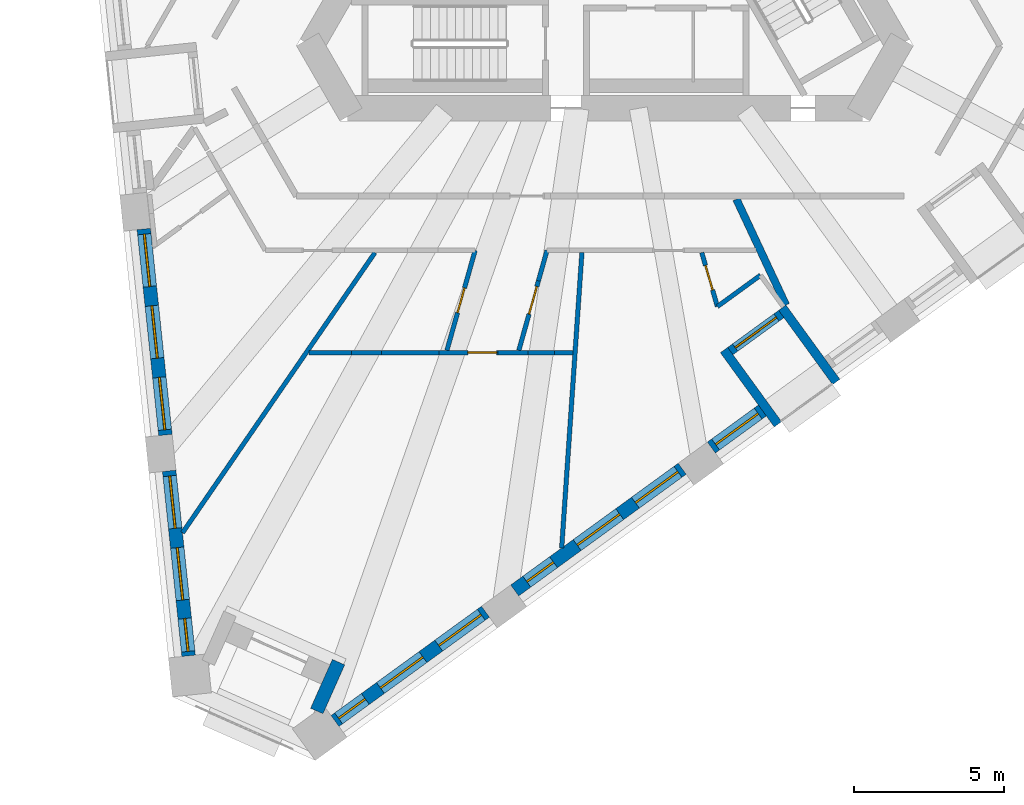
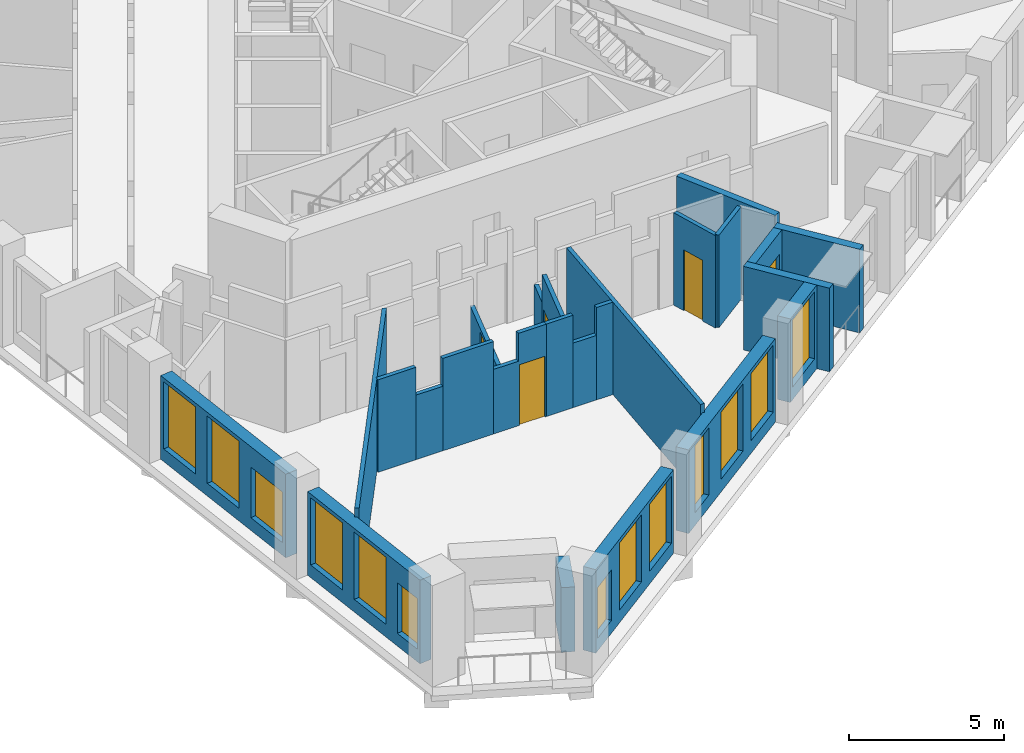
# One storey, part 2 of 14: 24 walls, 13 windows, 5 doors, 18 openings.
"""IFC4 building model written with IfcOpenShell, lengths in metres."""

from ifc_helpers import new_model, si_unit, direction, frame, frame_2d, origin, place, context, subcontext, project, spatial, polyline, rectangle, outline, extrude, material, layer, layer_set, type_object, element, fill, save


model = new_model("IFC4")

# Units and contexts
model_context = context("Model", 3, precision=1e-05, world=origin(), true_north=direction((0.0, 1.0)))
body_context = subcontext(model_context, "Body", "Model", "MODEL_VIEW")
ifc_project = project(units=[si_unit("LENGTHUNIT", "METRE"), si_unit("AREAUNIT", "SQUARE_METRE"), si_unit("VOLUMEUNIT", "CUBIC_METRE"), si_unit("PLANEANGLEUNIT", "RADIAN"), si_unit("MASSUNIT", "GRAM", prefix="KILO")], contexts=[model_context])

# Site, building, storey
site_placement = place(None, origin())
site = spatial("IfcSite", under=ifc_project, at=site_placement, CompositionType="ELEMENT")
building_placement = place(site_placement, origin())
building = spatial("IfcBuilding", under=site, at=building_placement, Name="Tramontana Tower", CompositionType="ELEMENT")
storey_placement = place(building_placement, frame((0.0, 0.0, 174.800048828125)))
storey = spatial("IfcBuildingStorey", under=building, at=storey_placement, Name="L40", CompositionType="ELEMENT", Elevation=174.800048828125)

# Wall, openings, windows
ifc_material_1 = material(Name="Precast concrete 60 MPa", Category="concrete")
ifc_layer_1 = layer(ifc_material_1, 0.449951171875)
ifc_layer_set_1 = layer_set([ifc_layer_1], Name="Precast concrete 60 MPa, 450 mm")
wall_type_1 = type_object("IfcWallType", Name="EW1 Stone-faced precast wall 450", PredefinedType="SOLIDWALL", material=ifc_layer_set_1)
wall_1_placement = place(storey_placement, frame((-15.327880859375, -10.341796875, 0.0), z_axis=(0.0, 0.0, 1.0), x_axis=(0.104531531326, -0.994521572898, 0.0)))
wall_1 = element("IfcWall", 1, at=wall_1_placement, inside=storey, type_object=wall_type_1, Name="External wall L40 face 0 bay 5", PredefinedType="SOLIDWALL", context=body_context, shape_type="SweptSolid", body=[
    extrude(rectangle(XDim=6.8828125, YDim=0.449951171875, at=frame_2d((3.44140625, 0.0))), origin(), (0.0, 0.0, 1.0), 3.300048828125),
])
opening_1_placement = place(wall_1_placement, frame((0.172119140625, 0.0, 0.5)))
opening_1 = element("IfcOpeningElement", 2, at=opening_1_placement, cuts=wall_1, Name="Opening M2", PredefinedType="OPENING", context=body_context, shape_type="SweptSolid", body=[
    extrude(rectangle(XDim=1.75, YDim=2.64990234375, at=frame_2d((0.875, 1.324951171875))), frame((0.0, 0.23486328125, 0.0), z_axis=(0.0, -1.0, 0.0), x_axis=(1.0, 0.0, 0.0)), (0.0, 0.0, 1.0), 0.469970703125),
])
opening_2_placement = place(wall_1_placement, frame((2.56640625, 0.0, 0.5)))
opening_2 = element("IfcOpeningElement", 3, at=opening_2_placement, cuts=wall_1, Name="Opening M2", PredefinedType="OPENING", context=body_context, shape_type="SweptSolid", body=[
    extrude(rectangle(XDim=1.75, YDim=2.64990234375, at=frame_2d((0.875, 1.324951171875))), frame((0.0, 0.23486328125, 0.0), z_axis=(0.0, -1.0, 0.0), x_axis=(1.0, 0.0, 0.0)), (0.0, 0.0, 1.0), 0.469970703125),
])
opening_3_placement = place(wall_1_placement, frame((4.960693359375, 0.0, 0.5)))
opening_3 = element("IfcOpeningElement", 4, at=opening_3_placement, cuts=wall_1, Name="Opening M2L", PredefinedType="OPENING", context=body_context, shape_type="SweptSolid", body=[
    extrude(rectangle(XDim=1.75, YDim=2.0, at=frame_2d((0.875, 1.0))), frame((0.0, 0.23486328125, 0.0), z_axis=(0.0, -1.0, 0.0), x_axis=(1.0, 0.0, 0.0)), (0.0, 0.0, 1.0), 0.469970703125),
])
ifc_material_2 = material(Name="Aluminum frame, double glazing unit", Category="aluminium")
window_type_1 = type_object("IfcWindowType", Name="M2 Window 1.75 x 2.65", PartitioningType="SINGLE_PANEL", PredefinedType="WINDOW", material=ifc_material_2)
window_1_placement = place(opening_1_placement, origin())
window_1 = element("IfcWindow", 5, at=window_1_placement, inside=storey, type_object=window_type_1, Name="Window M2 L40 face 0 module 13", OverallHeight=2.64990234375, OverallWidth=1.75, PartitioningType="SINGLE_PANEL", PredefinedType="WINDOW", context=body_context, shape_type="SweptSolid", body=[
    extrude(rectangle(XDim=1.75, YDim=2.64990234375, at=frame_2d((0.875, 1.324951171875))), frame((0.0, 0.030029296875, 0.0), z_axis=(0.0, -1.0, 0.0), x_axis=(1.0, 0.0, 0.0)), (0.0, 0.0, 1.0), 0.06005859375),
])
fill(opening_1, window_1)
window_2_placement = place(opening_2_placement, origin())
window_2 = element("IfcWindow", 6, at=window_2_placement, inside=storey, type_object=window_type_1, Name="Window M2 L40 face 0 module 14", OverallHeight=2.64990234375, OverallWidth=1.75, PartitioningType="SINGLE_PANEL", PredefinedType="WINDOW", context=body_context, shape_type="SweptSolid", body=[
    extrude(rectangle(XDim=1.75, YDim=2.64990234375, at=frame_2d((0.875, 1.324951171875))), frame((0.0, 0.030029296875, 0.0), z_axis=(0.0, -1.0, 0.0), x_axis=(1.0, 0.0, 0.0)), (0.0, 0.0, 1.0), 0.06005859375),
])
fill(opening_2, window_2)
ifc_material_3 = material(Name="Aluminum frame, double glazing unit", Category="aluminium")
window_type_2 = type_object("IfcWindowType", Name="M2L Window 1.75 x 2", PartitioningType="SINGLE_PANEL", PredefinedType="WINDOW", material=ifc_material_3)
window_3_placement = place(opening_3_placement, origin())
window_3 = element("IfcWindow", 7, at=window_3_placement, inside=storey, type_object=window_type_2, Name="Window M2L L40 face 0 module 15", OverallHeight=2.0, OverallWidth=1.75, PartitioningType="SINGLE_PANEL", PredefinedType="WINDOW", context=body_context, shape_type="SweptSolid", body=[
    extrude(rectangle(XDim=1.75, YDim=2.0, at=frame_2d((0.875, 1.0))), frame((0.0, 0.030029296875, 0.0), z_axis=(0.0, -1.0, 0.0), x_axis=(1.0, 0.0, 0.0)), (0.0, 0.0, 1.0), 0.06005859375),
])
fill(opening_3, window_3)

wall_2_placement = place(storey_placement, frame((-14.483154296875, -18.38037109375, 0.0), z_axis=(0.0, 0.0, 1.0), x_axis=(0.104557348575, -0.994518858976, 0.0)))
wall_2 = element("IfcWall", 8, at=wall_2_placement, inside=storey, type_object=wall_type_1, Name="External wall L40 face 0 bay 6", PredefinedType="SOLIDWALL", context=body_context, shape_type="SweptSolid", body=[
    extrude(rectangle(XDim=6.18310546875, YDim=0.449951171875, at=frame_2d((3.091552734375, 0.0))), origin(), (0.0, 0.0, 1.0), 3.300048828125),
])
opening_4_placement = place(wall_2_placement, frame((0.172119140625, 0.0, 0.5)))
opening_4 = element("IfcOpeningElement", 9, at=opening_4_placement, cuts=wall_2, Name="Opening M2", PredefinedType="OPENING", context=body_context, shape_type="SweptSolid", body=[
    extrude(rectangle(XDim=1.75, YDim=2.64990234375, at=frame_2d((0.875, 1.324951171875))), frame((0.0, 0.23486328125, 0.0), z_axis=(0.0, -1.0, 0.0), x_axis=(1.0, 0.0, 0.0)), (0.0, 0.0, 1.0), 0.469970703125),
])
opening_5_placement = place(wall_2_placement, frame((2.56640625, 0.0, 0.5)))
opening_5 = element("IfcOpeningElement", 10, at=opening_5_placement, cuts=wall_2, Name="Opening M2", PredefinedType="OPENING", context=body_context, shape_type="SweptSolid", body=[
    extrude(rectangle(XDim=1.75, YDim=2.64990234375, at=frame_2d((0.875, 1.324951171875))), frame((0.0, 0.23486328125, 0.0), z_axis=(0.0, -1.0, 0.0), x_axis=(1.0, 0.0, 0.0)), (0.0, 0.0, 1.0), 0.469970703125),
])
opening_6_placement = place(wall_2_placement, frame((4.935791015625, 0.0, 0.5)))
opening_6 = element("IfcOpeningElement", 11, at=opening_6_placement, cuts=wall_2, Name="Opening N2L", PredefinedType="OPENING", context=body_context, shape_type="SweptSolid", body=[
    extrude(rectangle(XDim=1.10009765625, YDim=2.0, at=frame_2d((0.550048828125, 1.0))), frame((0.0, 0.23486328125, 0.0), z_axis=(0.0, -1.0, 0.0), x_axis=(1.0, 0.0, 0.0)), (0.0, 0.0, 1.0), 0.469970703125),
])
window_4_placement = place(opening_4_placement, origin())
window_4 = element("IfcWindow", 12, at=window_4_placement, inside=storey, type_object=window_type_1, Name="Window M2 L40 face 0 module 16", OverallHeight=2.64990234375, OverallWidth=1.75, PartitioningType="SINGLE_PANEL", PredefinedType="WINDOW", context=body_context, shape_type="SweptSolid", body=[
    extrude(rectangle(XDim=1.75, YDim=2.64990234375, at=frame_2d((0.875, 1.324951171875))), frame((0.0, 0.030029296875, 0.0), z_axis=(0.0, -1.0, 0.0), x_axis=(1.0, 0.0, 0.0)), (0.0, 0.0, 1.0), 0.06005859375),
])
fill(opening_4, window_4)
window_5_placement = place(opening_5_placement, origin())
window_5 = element("IfcWindow", 13, at=window_5_placement, inside=storey, type_object=window_type_1, Name="Window M2 L40 face 0 module 17", OverallHeight=2.64990234375, OverallWidth=1.75, PartitioningType="SINGLE_PANEL", PredefinedType="WINDOW", context=body_context, shape_type="SweptSolid", body=[
    extrude(rectangle(XDim=1.75, YDim=2.64990234375, at=frame_2d((0.875, 1.324951171875))), frame((0.0, 0.030029296875, 0.0), z_axis=(0.0, -1.0, 0.0), x_axis=(1.0, 0.0, 0.0)), (0.0, 0.0, 1.0), 0.06005859375),
])
fill(opening_5, window_5)
ifc_material_4 = material(Name="Aluminum frame, double glazing unit", Category="aluminium")
window_type_3 = type_object("IfcWindowType", Name="N2L Window 1.1 x 2", PartitioningType="SINGLE_PANEL", PredefinedType="WINDOW", material=ifc_material_4)
window_6_placement = place(opening_6_placement, origin())
window_6 = element("IfcWindow", 14, at=window_6_placement, inside=storey, type_object=window_type_3, Name="Window N2L L40 face 0 module 18", OverallHeight=2.0, OverallWidth=1.10009765625, PartitioningType="SINGLE_PANEL", PredefinedType="WINDOW", context=body_context, shape_type="SweptSolid", body=[
    extrude(rectangle(XDim=1.10009765625, YDim=2.0, at=frame_2d((0.550048828125, 1.0))), frame((0.0, 0.030029296875, 0.0), z_axis=(0.0, -1.0, 0.0), x_axis=(1.0, 0.0, 0.0)), (0.0, 0.0, 1.0), 0.06005859375),
])
fill(opening_6, window_6)

wall_3_placement = place(storey_placement, frame((-8.97021484375, -26.696044921875, 0.0), z_axis=(0.0, 0.0, 1.0), x_axis=(0.809024567544, 0.587774828578, 0.0)))
wall_3 = element("IfcWall", 15, at=wall_3_placement, inside=storey, type_object=wall_type_1, Name="External wall L40 face 1 bay 1", PredefinedType="SOLIDWALL", context=body_context, shape_type="SweptSolid", body=[
    extrude(rectangle(XDim=6.1826171875, YDim=0.449951171875, at=frame_2d((3.09130859375, 0.0))), origin(), (0.0, 0.0, 1.0), 3.300048828125),
])
opening_7_placement = place(wall_3_placement, frame((0.147216796875, 0.0, 0.5)))
opening_7 = element("IfcOpeningElement", 16, at=opening_7_placement, cuts=wall_3, Name="Opening N2L", PredefinedType="OPENING", context=body_context, shape_type="SweptSolid", body=[
    extrude(rectangle(XDim=1.10009765625, YDim=2.0, at=frame_2d((0.550048828125, 1.0))), frame((0.0, 0.23486328125, 0.0), z_axis=(0.0, -1.0, 0.0), x_axis=(1.0, 0.0, 0.0)), (0.0, 0.0, 1.0), 0.469970703125),
])
opening_8_placement = place(wall_3_placement, frame((1.866455078125, 0.0, 0.5)))
opening_8 = element("IfcOpeningElement", 17, at=opening_8_placement, cuts=wall_3, Name="Opening M2", PredefinedType="OPENING", context=body_context, shape_type="SweptSolid", body=[
    extrude(rectangle(XDim=1.75, YDim=2.64990234375, at=frame_2d((0.875, 1.324951171875))), frame((0.0, 0.23486328125, 0.0), z_axis=(0.0, -1.0, 0.0), x_axis=(1.0, 0.0, 0.0)), (0.0, 0.0, 1.0), 0.469970703125),
])
opening_9_placement = place(wall_3_placement, frame((4.2607421875, 0.0, 0.5)))
opening_9 = element("IfcOpeningElement", 18, at=opening_9_placement, cuts=wall_3, Name="Opening M2", PredefinedType="OPENING", context=body_context, shape_type="SweptSolid", body=[
    extrude(rectangle(XDim=1.75, YDim=2.64990234375, at=frame_2d((0.875, 1.324951171875))), frame((0.0, 0.23486328125, 0.0), z_axis=(0.0, -1.0, 0.0), x_axis=(1.0, 0.0, 0.0)), (0.0, 0.0, 1.0), 0.469970703125),
])
window_7_placement = place(opening_8_placement, origin())
window_7 = element("IfcWindow", 19, at=window_7_placement, inside=storey, type_object=window_type_1, Name="Window M2 L40 face 1 module 2", OverallHeight=2.64990234375, OverallWidth=1.75, PartitioningType="SINGLE_PANEL", PredefinedType="WINDOW", context=body_context, shape_type="SweptSolid", body=[
    extrude(rectangle(XDim=1.75, YDim=2.64990234375, at=frame_2d((0.875, 1.324951171875))), frame((0.0, 0.030029296875, 0.0), z_axis=(0.0, -1.0, 0.0), x_axis=(1.0, 0.0, 0.0)), (0.0, 0.0, 1.0), 0.06005859375),
])
fill(opening_8, window_7)
window_8_placement = place(opening_9_placement, origin())
window_8 = element("IfcWindow", 20, at=window_8_placement, inside=storey, type_object=window_type_1, Name="Window M2 L40 face 1 module 3", OverallHeight=2.64990234375, OverallWidth=1.75, PartitioningType="SINGLE_PANEL", PredefinedType="WINDOW", context=body_context, shape_type="SweptSolid", body=[
    extrude(rectangle(XDim=1.75, YDim=2.64990234375, at=frame_2d((0.875, 1.324951171875))), frame((0.0, 0.030029296875, 0.0), z_axis=(0.0, -1.0, 0.0), x_axis=(1.0, 0.0, 0.0)), (0.0, 0.0, 1.0), 0.06005859375),
])
fill(opening_9, window_8)
window_9_placement = place(opening_7_placement, origin())
window_9 = element("IfcWindow", 21, at=window_9_placement, inside=storey, type_object=window_type_3, Name="Window N2L L40 face 1 module 1", OverallHeight=2.0, OverallWidth=1.10009765625, PartitioningType="SINGLE_PANEL", PredefinedType="WINDOW", context=body_context, shape_type="SweptSolid", body=[
    extrude(rectangle(XDim=1.10009765625, YDim=2.0, at=frame_2d((0.550048828125, 1.0))), frame((0.0, 0.030029296875, 0.0), z_axis=(0.0, -1.0, 0.0), x_axis=(1.0, 0.0, 0.0)), (0.0, 0.0, 1.0), 0.06005859375),
])
fill(opening_7, window_9)

wall_4_placement = place(storey_placement, frame((-2.997314453125, -22.3564453125, 0.0), z_axis=(0.0, 0.0, 1.0), x_axis=(0.809016690404, 0.587785670672, 0.0)))
wall_4 = element("IfcWall", 22, at=wall_4_placement, inside=storey, type_object=wall_type_1, Name="External wall L40 face 1 bay 2", PredefinedType="SOLIDWALL", context=body_context, shape_type="SweptSolid", body=[
    extrude(rectangle(XDim=6.8828125, YDim=0.449951171875, at=frame_2d((3.44140625, 0.0))), origin(), (0.0, 0.0, 1.0), 3.300048828125),
])
opening_10_placement = place(wall_4_placement, frame((0.4970703125, 0.0, 0.5)))
opening_10 = element("IfcOpeningElement", 23, at=opening_10_placement, cuts=wall_4, Name="Opening N2", PredefinedType="OPENING", context=body_context, shape_type="SweptSolid", body=[
    extrude(rectangle(XDim=1.10009765625, YDim=2.64990234375, at=frame_2d((0.550048828125, 1.324951171875))), frame((0.0, 0.23486328125, 0.0), z_axis=(0.0, -1.0, 0.0), x_axis=(1.0, 0.0, 0.0)), (0.0, 0.0, 1.0), 0.469970703125),
])
opening_11_placement = place(wall_4_placement, frame((2.56640625, 0.0, 0.5)))
opening_11 = element("IfcOpeningElement", 24, at=opening_11_placement, cuts=wall_4, Name="Opening M2", PredefinedType="OPENING", context=body_context, shape_type="SweptSolid", body=[
    extrude(rectangle(XDim=1.75, YDim=2.64990234375, at=frame_2d((0.875, 1.324951171875))), frame((0.0, 0.23486328125, 0.0), z_axis=(0.0, -1.0, 0.0), x_axis=(1.0, 0.0, 0.0)), (0.0, 0.0, 1.0), 0.469970703125),
])
opening_12_placement = place(wall_4_placement, frame((4.960693359375, 0.0, 0.5)))
opening_12 = element("IfcOpeningElement", 25, at=opening_12_placement, cuts=wall_4, Name="Opening M2", PredefinedType="OPENING", context=body_context, shape_type="SweptSolid", body=[
    extrude(rectangle(XDim=1.75, YDim=2.64990234375, at=frame_2d((0.875, 1.324951171875))), frame((0.0, 0.23486328125, 0.0), z_axis=(0.0, -1.0, 0.0), x_axis=(1.0, 0.0, 0.0)), (0.0, 0.0, 1.0), 0.469970703125),
])
window_10_placement = place(opening_11_placement, origin())
window_10 = element("IfcWindow", 26, at=window_10_placement, inside=storey, type_object=window_type_1, Name="Window M2 L40 face 1 module 5", OverallHeight=2.64990234375, OverallWidth=1.75, PartitioningType="SINGLE_PANEL", PredefinedType="WINDOW", context=body_context, shape_type="SweptSolid", body=[
    extrude(rectangle(XDim=1.75, YDim=2.64990234375, at=frame_2d((0.875, 1.324951171875))), frame((0.0, 0.030029296875, 0.0), z_axis=(0.0, -1.0, 0.0), x_axis=(1.0, 0.0, 0.0)), (0.0, 0.0, 1.0), 0.06005859375),
])
fill(opening_11, window_10)
window_11_placement = place(opening_12_placement, origin())
window_11 = element("IfcWindow", 27, at=window_11_placement, inside=storey, type_object=window_type_1, Name="Window M2 L40 face 1 module 6", OverallHeight=2.64990234375, OverallWidth=1.75, PartitioningType="SINGLE_PANEL", PredefinedType="WINDOW", context=body_context, shape_type="SweptSolid", body=[
    extrude(rectangle(XDim=1.75, YDim=2.64990234375, at=frame_2d((0.875, 1.324951171875))), frame((0.0, 0.030029296875, 0.0), z_axis=(0.0, -1.0, 0.0), x_axis=(1.0, 0.0, 0.0)), (0.0, 0.0, 1.0), 0.06005859375),
])
fill(opening_12, window_11)
ifc_material_5 = material(Name="Aluminum frame, double glazing unit", Category="aluminium")
window_type_4 = type_object("IfcWindowType", Name="N2 Window 1.1 x 2.65", PartitioningType="SINGLE_PANEL", PredefinedType="WINDOW", material=ifc_material_5)
window_12_placement = place(opening_10_placement, origin())
window_12 = element("IfcWindow", 28, at=window_12_placement, inside=storey, type_object=window_type_4, Name="Window N2 L40 face 1 module 4", OverallHeight=2.64990234375, OverallWidth=1.10009765625, PartitioningType="SINGLE_PANEL", PredefinedType="WINDOW", context=body_context, shape_type="SweptSolid", body=[
    extrude(rectangle(XDim=1.10009765625, YDim=2.64990234375, at=frame_2d((0.550048828125, 1.324951171875))), frame((0.0, 0.030029296875, 0.0), z_axis=(0.0, -1.0, 0.0), x_axis=(1.0, 0.0, 0.0)), (0.0, 0.0, 1.0), 0.06005859375),
])
fill(opening_10, window_12)

# Wall, opening, window
wall_5_placement = place(storey_placement, frame((3.541748046875, -17.60546875, 0.0), z_axis=(0.0, 0.0, 1.0), x_axis=(0.809028366311, 0.587769599847, 0.0)))
wall_5 = element("IfcWall", 29, at=wall_5_placement, inside=storey, type_object=wall_type_1, Name="External wall L40 face 1 bay 3", PredefinedType="SOLIDWALL", context=body_context, shape_type="SweptSolid", body=[
    extrude(rectangle(XDim=2.09423828125, YDim=0.449951171875, at=frame_2d((1.047119140625, 0.0))), origin(), (0.0, 0.0, 1.0), 3.300048828125),
])
opening_13_placement = place(wall_5_placement, frame((0.172119140625, 0.0, 0.5)))
opening_13 = element("IfcOpeningElement", 30, at=opening_13_placement, cuts=wall_5, Name="Opening M2", PredefinedType="OPENING", context=body_context, shape_type="SweptSolid", body=[
    extrude(rectangle(XDim=1.75, YDim=2.64990234375, at=frame_2d((0.875, 1.324951171875))), frame((0.0, 0.23486328125, 0.0), z_axis=(0.0, -1.0, 0.0), x_axis=(1.0, 0.0, 0.0)), (0.0, 0.0, 1.0), 0.469970703125),
])
window_13_placement = place(opening_13_placement, origin())
window_13 = element("IfcWindow", 31, at=window_13_placement, inside=storey, type_object=window_type_1, Name="Window M2 L40 face 1 module 7", OverallHeight=2.64990234375, OverallWidth=1.75, PartitioningType="SINGLE_PANEL", PredefinedType="WINDOW", context=body_context, shape_type="SweptSolid", body=[
    extrude(rectangle(XDim=1.75, YDim=2.64990234375, at=frame_2d((0.875, 1.324951171875))), frame((0.0, 0.030029296875, 0.0), z_axis=(0.0, -1.0, 0.0), x_axis=(1.0, 0.0, 0.0)), (0.0, 0.0, 1.0), 0.06005859375),
])
fill(opening_13, window_13)

# Wall
wall_6_placement = place(storey_placement, frame((-9.575927734375, -26.363525390625, 0.0), z_axis=(0.0, 0.0, 1.0), x_axis=(0.406749543613, 0.913539713844, 0.0)))
element("IfcWall", 32, at=wall_6_placement, inside=storey, type_object=wall_type_1, Name="Corner loggia side wall L40 K41l", PredefinedType="SOLIDWALL", context=body_context, shape_type="SweptSolid", body=[
    extrude(rectangle(XDim=1.779052734375, YDim=0.449951171875, at=frame_2d((0.8896484375, 0.0))), origin(), (0.0, 0.0, 1.0), 2.550048828125),
])

# Wall, opening, door
ifc_material_6 = material(Name="Precast concrete 60 MPa", Category="concrete")
ifc_layer_2 = layer(ifc_material_6, 0.300048828125)
ifc_layer_set_2 = layer_set([ifc_layer_2], Name="LW1 Stone-faced loggia wall 300")
wall_type_2 = type_object("IfcWallType", Name="LW1 Stone-faced loggia wall 300", PredefinedType="SOLIDWALL", material=ifc_layer_set_2)
wall_7_placement = place(storey_placement, frame((4.1708984375, -14.398193359375, 0.0), z_axis=(0.0, 0.0, 1.0), x_axis=(0.809028366311, 0.587769599847, 0.0)))
wall_7 = element("IfcWall", 33, at=wall_7_placement, inside=storey, type_object=wall_type_2, Name="Loggia wall L40 G4S1.7", PredefinedType="SOLIDWALL", context=body_context, shape_type="SweptSolid", body=[
    extrude(rectangle(XDim=2.09423828125, YDim=0.300048828125, at=frame_2d((1.047119140625, 0.0))), origin(), (0.0, 0.0, 1.0), 3.300048828125),
])
opening_14_placement = place(wall_7_placement, frame((0.197265625, 0.0, 0.0)))
opening_14 = element("IfcOpeningElement", 34, at=opening_14_placement, cuts=wall_7, Name="Opening BD-4S1-07", PredefinedType="OPENING", context=body_context, shape_type="SweptSolid", body=[
    extrude(rectangle(XDim=1.699951171875, YDim=2.449951171875, at=frame_2d((0.85009765625, 1.22509765625))), frame((0.0, 0.159912109375, 0.0), z_axis=(0.0, -1.0, 0.0), x_axis=(1.0, 0.0, 0.0)), (0.0, 0.0, 1.0), 0.320068359375),
])
ifc_material_7 = material(Name="Aluminum frame, double glazing unit", Category="aluminium")
door_type_1 = type_object("IfcDoorType", Name="BD2 Sliding door 1.7 x 2.45", OperationType="SLIDING_TO_LEFT", PredefinedType="DOOR", material=ifc_material_7)
door_1_placement = place(opening_14_placement, origin())
door_1 = element("IfcDoor", 35, at=door_1_placement, inside=storey, type_object=door_type_1, Name="Loggia door L40 G4S1.7", OperationType="SLIDING_TO_LEFT", OverallHeight=2.449951171875, OverallWidth=1.699951171875, PredefinedType="DOOR", context=body_context, shape_type="SweptSolid", body=[
    extrude(rectangle(XDim=1.699951171875, YDim=2.449951171875, at=frame_2d((0.85009765625, 1.22509765625))), frame((0.0, 0.02490234375, 0.0), z_axis=(0.0, -1.0, 0.0), x_axis=(1.0, 0.0, 0.0)), (0.0, 0.0, 1.0), 0.050048828125),
])
fill(opening_14, door_1)

# Walls
for number, where, z_axis, x_axis, name in (
    (36, (5.754150390625, -16.83251953125, 0.0), (0.0, 0.0, 1.0), (-0.587776590479, 0.80902328748, 0.0), "Loggia return L40 G4S1.7a"),
    (37, (7.691162109375, -15.425048828125, 0.0), (0.0, 0.0, 1.0), (-0.587776590479, 0.80902328748, 0.0), "Loggia return L40 G4S1.7b"),
):
    element("IfcWall", number, at=place(storey_placement, frame(where, z_axis=z_axis, x_axis=x_axis)), inside=storey, type_object=wall_type_2, Name=name, PredefinedType="SOLIDWALL", context=body_context, shape_type="SweptSolid", body=[
        extrude(rectangle(XDim=3.050048828125, YDim=0.300048828125, at=frame_2d((1.52490234375, 0.0))), origin(), (0.0, 0.0, 1.0), 3.300048828125),
    ])
ifc_material_8 = material(Name="Gypsum board partition")
ifc_layer_3 = layer(ifc_material_8, 0.14990234375)
ifc_layer_set_3 = layer_set([ifc_layer_3], Name="PARTITION 150")
wall_type_3 = type_object("IfcWallType", Name="PARTITION 150", PredefinedType="PARTITIONING", material=ifc_layer_set_3)
wall_8_placement = place(storey_placement, frame((-14.040283203125, -20.439697265625, 0.0), z_axis=(0.0, 0.0, 1.0), x_axis=(0.566203282816, 0.824265638328, 0.0)))
element("IfcWall", 38, at=wall_8_placement, inside=storey, type_object=wall_type_3, Name="Wall v41-pw09", PredefinedType="PARTITIONING", context=body_context, shape_type="SweptSolid", body=[
    extrude(rectangle(XDim=11.300537109375, YDim=0.14990234375, at=frame_2d((5.650390625, 0.0))), origin(), (0.0, 0.0, 1.0), 3.64990234375),
])

# Wall, opening, door
wall_9_placement = place(storey_placement, frame((-5.24951171875, -14.375, 0.0), z_axis=(0.0, 0.0, 1.0), x_axis=(0.271508840807, 0.96243594559, 0.0)))
wall_9 = element("IfcWall", 39, at=wall_9_placement, inside=storey, type_object=wall_type_3, Name="Wall v41-pw21-0", PredefinedType="PARTITIONING", context=body_context, shape_type="SweptSolid", body=[
    extrude(rectangle(XDim=3.454833984375, YDim=0.14990234375, at=frame_2d((1.7275390625, 0.0))), origin(), (0.0, 0.0, 1.0), 2.550048828125),
])
opening_15_placement = place(wall_9_placement, frame((1.30224609375, 0.0, 0.0)))
opening_15 = element("IfcOpeningElement", 40, at=opening_15_placement, cuts=wall_9, Name="Opening B4B-09", PredefinedType="OPENING", context=body_context, shape_type="SweptSolid", body=[
    extrude(rectangle(XDim=0.85009765625, YDim=2.39990234375, at=frame_2d((0.425048828125, 1.199951171875))), frame((0.0, 0.0849609375, 0.0), z_axis=(0.0, -1.0, 0.0), x_axis=(1.0, 0.0, 0.0)), (0.0, 0.0, 1.0), 0.169921875),
])
ifc_material_9 = material(Name="Painted timber", Category="wood")
door_type_2 = type_object("IfcDoorType", Name="DOOR BATH 850", OperationType="SINGLE_SWING_LEFT", PredefinedType="DOOR", material=ifc_material_9)
door_2_placement = place(opening_15_placement, origin())
door_2 = element("IfcDoor", 41, at=door_2_placement, inside=storey, type_object=door_type_2, Name="Door B4B-09", OperationType="SINGLE_SWING_LEFT", OverallHeight=2.39990234375, OverallWidth=0.85009765625, PredefinedType="DOOR", context=body_context, shape_type="SweptSolid", body=[
    extrude(rectangle(XDim=0.85009765625, YDim=2.39990234375, at=frame_2d((0.425048828125, 1.199951171875))), frame((0.0, 0.02490234375, 0.0), z_axis=(0.0, -1.0, 0.0), x_axis=(1.0, 0.0, 0.0)), (0.0, 0.0, 1.0), 0.050048828125),
])
fill(opening_15, door_2)

# Wall
wall_10_placement = place(storey_placement, frame((-1.921875, -11.050048828125, 0.0), z_axis=(0.0, 0.0, 1.0), x_axis=(-0.271416161004, -0.96246208629, 0.0)))
element("IfcWall", 42, at=wall_10_placement, inside=storey, type_object=wall_type_3, Name="Wall v41-pw24-0", PredefinedType="PARTITIONING", context=body_context, shape_type="SweptSolid", body=[
    extrude(rectangle(XDim=1.05419921875, YDim=0.14990234375, at=frame_2d((0.527099609375, 0.0))), origin(), (0.0, 0.0, 1.0), 2.550048828125),
])

# Wall, opening, door
wall_11_placement = place(storey_placement, frame((-2.2080078125, -12.064697265625, 0.0), z_axis=(0.0, 0.0, 1.0), x_axis=(-0.271455333638, -0.962451038671, 0.0)))
wall_11 = element("IfcWall", 43, at=wall_11_placement, inside=storey, type_object=wall_type_3, Name="Wall v41-pw24-1", PredefinedType="PARTITIONING", context=body_context, shape_type="SweptSolid", body=[
    extrude(rectangle(XDim=2.400390625, YDim=0.14990234375, at=frame_2d((1.2001953125, 0.0))), origin(), (0.0, 0.0, 1.0), 3.64990234375),
])
opening_16_placement = place(wall_11_placement, frame((0.197998046875, 0.0, 0.0)))
opening_16 = element("IfcOpeningElement", 44, at=opening_16_placement, cuts=wall_11, Name="Opening B4B-08", PredefinedType="OPENING", context=body_context, shape_type="SweptSolid", body=[
    extrude(rectangle(XDim=0.949951171875, YDim=2.39990234375, at=frame_2d((0.47509765625, 1.199951171875))), frame((0.0, 0.0849609375, 0.0), z_axis=(0.0, -1.0, 0.0), x_axis=(1.0, 0.0, 0.0)), (0.0, 0.0, 1.0), 0.169921875),
])
ifc_material_10 = material(Name="Painted timber", Category="wood")
door_type_3 = type_object("IfcDoorType", Name="DOOR ROOM 950", OperationType="SINGLE_SWING_LEFT", PredefinedType="DOOR", material=ifc_material_10)
door_3_placement = place(opening_16_placement, origin())
door_3 = element("IfcDoor", 45, at=door_3_placement, inside=storey, type_object=door_type_3, Name="Door B4B-08", OperationType="SINGLE_SWING_RIGHT", OverallHeight=2.39990234375, OverallWidth=0.949951171875, PredefinedType="DOOR", context=body_context, shape_type="SweptSolid", body=[
    extrude(rectangle(XDim=0.949951171875, YDim=2.39990234375, at=frame_2d((0.47509765625, 1.199951171875))), frame((0.0, 0.02490234375, 0.0), z_axis=(0.0, -1.0, 0.0), x_axis=(1.0, 0.0, 0.0)), (0.0, 0.0, 1.0), 0.050048828125),
])
fill(opening_16, door_3)

# Walls
wall_12_placement = place(storey_placement, frame((-1.0654296875, -14.449951171875, 0.0), z_axis=(0.0, 0.0, 1.0), x_axis=(-1.0, 0.0, 0.0)))
element("IfcWall", 46, at=wall_12_placement, inside=storey, type_object=wall_type_3, Name="Wall v41-pw26-0", PredefinedType="PARTITIONING", context=body_context, shape_type="SweptSolid", body=[
    extrude(rectangle(XDim=0.607421875, YDim=0.14990234375, at=frame_2d((0.3037109375, 0.0))), origin(), (0.0, 0.0, 1.0), 3.64990234375),
])
wall_13_placement = place(storey_placement, frame((-1.6728515625, -14.449951171875, 0.0), z_axis=(0.0, 0.0, 1.0), x_axis=(-1.0, 0.0, 0.0)))
element("IfcWall", 47, at=wall_13_placement, inside=storey, type_object=wall_type_3, Name="Wall v41-pw26-1", PredefinedType="PARTITIONING", context=body_context, shape_type="SweptSolid", body=[
    extrude(rectangle(XDim=0.88427734375, YDim=0.14990234375, at=frame_2d((0.442138671875, 0.0))), origin(), (0.0, 0.0, 1.0), 2.550048828125),
])
wall_14_placement = place(storey_placement, frame((-2.55712890625, -14.449951171875, 0.0), z_axis=(0.0, 0.0, 1.0), x_axis=(-1.0, 0.0, 0.0)))
element("IfcWall", 48, at=wall_14_placement, inside=storey, type_object=wall_type_3, Name="Wall v41-pw26-2", PredefinedType="PARTITIONING", context=body_context, shape_type="SweptSolid", body=[
    extrude(rectangle(XDim=0.99365234375, YDim=0.14990234375, at=frame_2d((0.496826171875, 0.0))), origin(), (0.0, 0.0, 1.0), 3.64990234375),
])

# Wall, opening, door
wall_15_placement = place(storey_placement, frame((-3.55078125, -14.449951171875, 0.0), z_axis=(0.0, 0.0, 1.0), x_axis=(-1.0, 0.0, 0.0)))
wall_15 = element("IfcWall", 49, at=wall_15_placement, inside=storey, type_object=wall_type_3, Name="Wall v41-pw26-3", PredefinedType="PARTITIONING", context=body_context, shape_type="SweptSolid", body=[
    extrude(outline(polyline([(0.0, 0.0), (1.96875, 0.0), (1.96875, 2.550048828125), (1.041748046875, 2.550048828125), (1.041748046875, 3.64990234375), (0.0, 3.64990234375), (0.0, 0.0)])), frame((0.0, 0.074951171875, 0.0), z_axis=(0.0, -1.0, 0.0), x_axis=(1.0, 0.0, 0.0)), (0.0, 0.0, 1.0), 0.14990234375),
])
opening_17_placement = place(wall_15_placement, frame((0.050048828125, 0.0, 0.0)))
opening_17 = element("IfcOpeningElement", 50, at=opening_17_placement, cuts=wall_15, Name="Opening B4B-10", PredefinedType="OPENING", context=body_context, shape_type="SweptSolid", body=[
    extrude(rectangle(XDim=0.949951171875, YDim=2.39990234375, at=frame_2d((0.47509765625, 1.199951171875))), frame((0.0, 0.0849609375, 0.0), z_axis=(0.0, -1.0, 0.0), x_axis=(1.0, 0.0, 0.0)), (0.0, 0.0, 1.0), 0.169921875),
])
door_4_placement = place(opening_17_placement, origin())
door_4 = element("IfcDoor", 51, at=door_4_placement, inside=storey, type_object=door_type_3, Name="Door B4B-10", OperationType="SINGLE_SWING_RIGHT", OverallHeight=2.39990234375, OverallWidth=0.949951171875, PredefinedType="DOOR", context=body_context, shape_type="SweptSolid", body=[
    extrude(rectangle(XDim=0.949951171875, YDim=2.39990234375, at=frame_2d((0.47509765625, 1.199951171875))), frame((0.0, 0.02490234375, 0.0), z_axis=(0.0, -1.0, 0.0), x_axis=(1.0, 0.0, 0.0)), (0.0, 0.0, 1.0), 0.050048828125),
])
fill(opening_17, door_4)

# Walls
wall_16_placement = place(storey_placement, frame((-5.51953125, -14.449951171875, 0.0), z_axis=(0.0, 0.0, 1.0), x_axis=(-1.0, 0.0, 0.0)))
element("IfcWall", 52, at=wall_16_placement, inside=storey, type_object=wall_type_3, Name="Wall v41-pw26-4", PredefinedType="PARTITIONING", context=body_context, shape_type="SweptSolid", body=[
    extrude(rectangle(XDim=1.89794921875, YDim=0.14990234375, at=frame_2d((0.948974609375, 0.0))), origin(), (0.0, 0.0, 1.0), 3.64990234375),
])
wall_17_placement = place(storey_placement, frame((-7.41748046875, -14.449951171875, 0.0), z_axis=(0.0, 0.0, 1.0), x_axis=(-1.0, 0.0, 0.0)))
element("IfcWall", 53, at=wall_17_placement, inside=storey, type_object=wall_type_3, Name="Wall v41-pw26-5", PredefinedType="PARTITIONING", context=body_context, shape_type="SweptSolid", body=[
    extrude(rectangle(XDim=0.99755859375, YDim=0.14990234375, at=frame_2d((0.498779296875, 0.0))), origin(), (0.0, 0.0, 1.0), 2.550048828125),
])
wall_18_placement = place(storey_placement, frame((-8.4150390625, -14.449951171875, 0.0), z_axis=(0.0, 0.0, 1.0), x_axis=(-1.0, 0.0, 0.0)))
element("IfcWall", 54, at=wall_18_placement, inside=storey, type_object=wall_type_3, Name="Wall v41-pw26-6", PredefinedType="PARTITIONING", context=body_context, shape_type="SweptSolid", body=[
    extrude(rectangle(XDim=1.419921875, YDim=0.14990234375, at=frame_2d((0.7099609375, 0.0))), origin(), (0.0, 0.0, 1.0), 3.64990234375),
])
wall_19_placement = place(storey_placement, frame((-0.762451171875, -11.125, 0.0), z_axis=(0.0, 0.0, 1.0), x_axis=(-0.068367890485, -0.997660178393, 0.0)))
element("IfcWall", 55, at=wall_19_placement, inside=storey, type_object=wall_type_3, Name="Wall v41-pw28", PredefinedType="PARTITIONING", context=body_context, shape_type="SweptSolid", body=[
    extrude(rectangle(XDim=9.841552734375, YDim=0.14990234375, at=frame_2d((4.9208984375, 0.0))), origin(), (0.0, 0.0, 1.0), 3.64990234375),
])

# Wall, opening, door
wall_20_placement = place(storey_placement, frame((3.2216796875, -11.125, 0.0), z_axis=(0.0, 0.0, 1.0), x_axis=(0.278191455128, -0.960525644787, 0.0)))
wall_20 = element("IfcWall", 56, at=wall_20_placement, inside=storey, type_object=wall_type_3, Name="Wall v41-pw31", PredefinedType="PARTITIONING", context=body_context, shape_type="SweptSolid", body=[
    extrude(rectangle(XDim=1.86669921875, YDim=0.14990234375, at=frame_2d((0.933349609375, 0.0))), origin(), (0.0, 0.0, 1.0), 3.64990234375),
])
opening_18_placement = place(wall_20_placement, frame((0.446533203125, 0.0, 0.0)))
opening_18 = element("IfcOpeningElement", 57, at=opening_18_placement, cuts=wall_20, Name="Opening B4B-14", PredefinedType="OPENING", context=body_context, shape_type="SweptSolid", body=[
    extrude(rectangle(XDim=0.85009765625, YDim=2.39990234375, at=frame_2d((0.425048828125, 1.199951171875))), frame((0.0, 0.0849609375, 0.0), z_axis=(0.0, -1.0, 0.0), x_axis=(1.0, 0.0, 0.0)), (0.0, 0.0, 1.0), 0.169921875),
])
door_5_placement = place(opening_18_placement, origin())
door_5 = element("IfcDoor", 58, at=door_5_placement, inside=storey, type_object=door_type_2, Name="Door B4B-14", OperationType="SINGLE_SWING_RIGHT", OverallHeight=2.39990234375, OverallWidth=0.85009765625, PredefinedType="DOOR", context=body_context, shape_type="SweptSolid", body=[
    extrude(rectangle(XDim=0.85009765625, YDim=2.39990234375, at=frame_2d((0.425048828125, 1.199951171875))), frame((0.0, 0.02490234375, 0.0), z_axis=(0.0, -1.0, 0.0), x_axis=(1.0, 0.0, 0.0)), (0.0, 0.0, 1.0), 0.050048828125),
])
fill(opening_18, door_5)

# Walls
wall_21_placement = place(storey_placement, frame((5.17333984375, -11.87744140625, 0.0), z_axis=(0.0, 0.0, 1.0), x_axis=(-0.809057977707, -0.587728839439, 0.0)))
element("IfcWall", 59, at=wall_21_placement, inside=storey, type_object=wall_type_3, Name="Wall v41-pw36", PredefinedType="PARTITIONING", context=body_context, shape_type="SweptSolid", body=[
    extrude(rectangle(XDim=1.7705078125, YDim=0.14990234375, at=frame_2d((0.88525390625, 0.0))), origin(), (0.0, 0.0, 1.0), 3.64990234375),
])
ifc_material_11 = material(Name="Blockwork", Category="masonry")
ifc_layer_4 = layer(ifc_material_11, 0.25)
ifc_layer_set_4 = layer_set([ifc_layer_4], Name="PARTY WALL 250")
wall_type_4 = type_object("IfcWallType", Name="PARTY WALL 250", PredefinedType="SOLIDWALL", material=ifc_layer_set_4)
wall_22_placement = place(storey_placement, frame((4.37353515625, -9.35009765625, 0.0), z_axis=(0.0, 0.0, 1.0), x_axis=(0.423710887385, -0.905797485044, 0.0)))
element("IfcWall", 60, at=wall_22_placement, inside=storey, type_object=wall_type_4, Name="Wall v41-pw34", PredefinedType="SOLIDWALL", context=body_context, shape_type="SweptSolid", body=[
    extrude(rectangle(XDim=3.88525390625, YDim=0.25, at=frame_2d((1.942626953125, 0.0))), origin(), (0.0, 0.0, 1.0), 3.64990234375),
])

save(model, "model.ifc")
